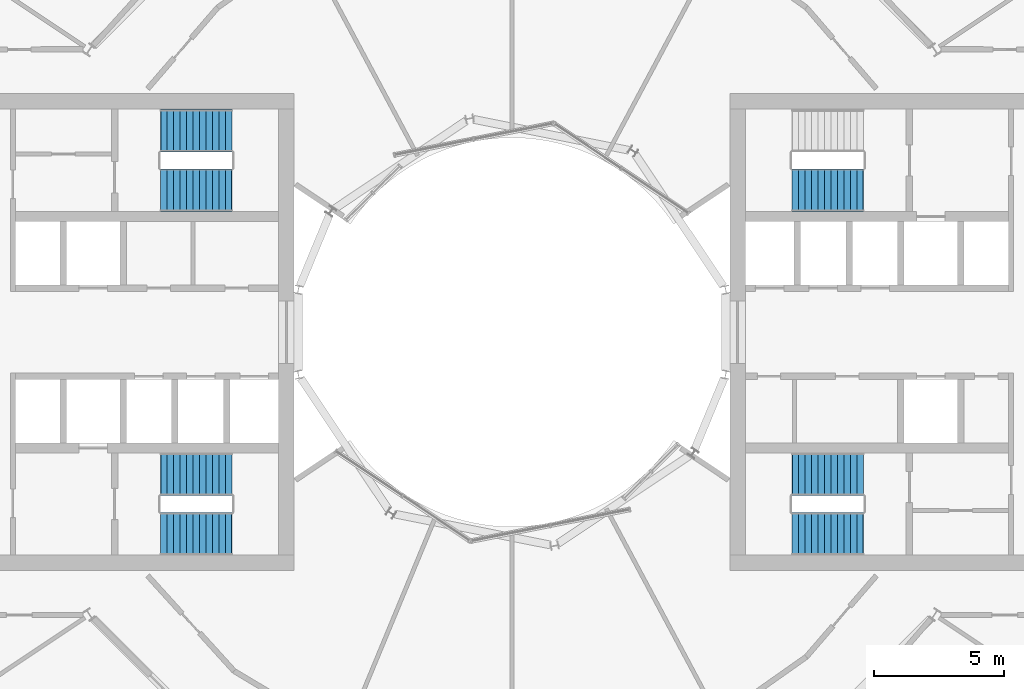
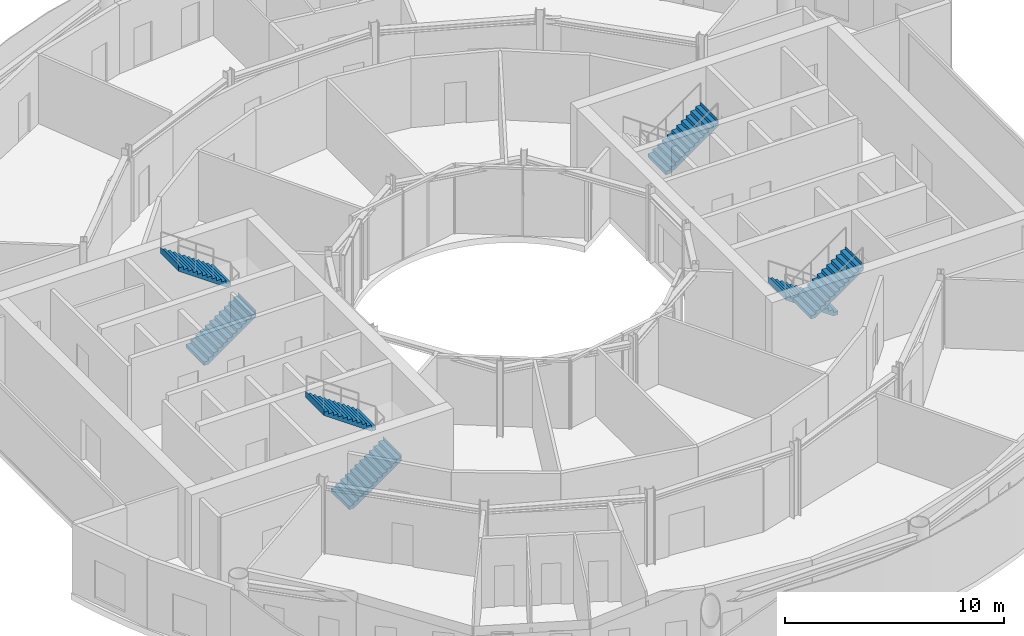
# One storey, part 19 of 21: 7 stair flights, 4 elements without a shape of their own.
"""IFC4 building model written with IfcOpenShell, lengths in metres."""

from ifc_helpers import new_model, si_unit, direction, frame, origin, place, context, subcontext, project, spatial, triangles, material, type_object, element, aggregate, save


model = new_model("IFC4")

# Units and contexts
model_context = context("Model", 3, precision=1e-05, world=origin(), true_north=direction((0.0, 1.0)))
body_context = subcontext(model_context, "Body", "Model", "MODEL_VIEW")
ifc_project = project(units=[si_unit("LENGTHUNIT", "METRE"), si_unit("AREAUNIT", "SQUARE_METRE"), si_unit("VOLUMEUNIT", "CUBIC_METRE"), si_unit("PLANEANGLEUNIT", "RADIAN"), si_unit("MASSUNIT", "GRAM", prefix="KILO")], contexts=[model_context])

# Site, building, storey
site_placement = place(None, origin())
site = spatial("IfcSite", under=ifc_project, at=site_placement, CompositionType="ELEMENT")
building_placement = place(site_placement, origin())
building = spatial("IfcBuilding", under=site, at=building_placement, Name="Maasbend Ring Residences", CompositionType="ELEMENT")
storey_placement = place(building_placement, frame((0.0, 0.0, 107.449951171875)))
storey = spatial("IfcBuildingStorey", under=building, at=storey_placement, Name="L30", CompositionType="ELEMENT", Elevation=107.449951171875)

# Stair, stair flight
ifc_material_1 = material(Name="Concrete C40/50", Category="concrete")
stair_type = type_object("IfcStairType", Name="CORE STAIR 24 RISERS", PredefinedType="HALF_TURN_STAIR", material=ifc_material_1)
stair_1_placement = place(storey_placement, origin())
stair_1 = element("IfcStair", 1, at=stair_1_placement, inside=storey, type_object=stair_type, Name="L30 Exit stair ST-E1", PredefinedType="HALF_TURN_STAIR")
ifc_material_2 = material(Name="Concrete C40/50", Category="concrete")
stair_flight_type = type_object("IfcStairFlightType", Name="CORE STAIR FLIGHT 1650", PredefinedType="STRAIGHT", material=ifc_material_2)
stair_flight_1_placement = place(storey_placement, frame((10.800048828125, 5.47509765625, 2.10009765625), z_axis=(0.0, 0.0, 1.0), x_axis=(1.0, 0.0, 0.0)))
stair_flight_1 = element("IfcStairFlight", 2, at=stair_flight_1_placement, type_object=stair_flight_type, Name="ST-E1 flight 2", NumberOfRisers=12, NumberOfTreads=11, PredefinedType="STRAIGHT", RiserHeight=0.175, TreadLength=0.25, context=body_context, shape_type="Tessellation", body=[
    triangles([(0.23583984375, 0.824951171875, -0.02001953125), (2.7529296875, 0.824951171875, 1.741943359375), (2.7529296875, 0.824951171875, 2.10009765625), (2.739990234375, 0.824951171875, 1.925048828125), (2.5, 0.824951171875, 1.925048828125), (2.5, 0.824951171875, 1.75), (2.25, 0.824951171875, 1.75), (2.25, 0.824951171875, 1.574951171875), (2.0, 0.824951171875, 1.574951171875), (2.0, 0.824951171875, 1.39990234375), (1.75, 0.824951171875, 1.39990234375), (1.75, 0.824951171875, 1.22509765625), (1.5, 0.824951171875, 1.22509765625), (1.5, 0.824951171875, 1.050048828125), (1.25, 0.824951171875, 1.050048828125), (1.25, 0.824951171875, 0.875), (1.0, 0.824951171875, 0.875), (1.0, 0.824951171875, 0.699951171875), (0.75, 0.824951171875, 0.699951171875), (0.75, 0.824951171875, 0.52490234375), (0.5, 0.824951171875, 0.52490234375), (0.5, 0.824951171875, 0.35009765625), (0.25, 0.824951171875, 0.35009765625), (0.25, 0.824951171875, 0.175048828125), (0.0, 0.824951171875, 0.175048828125), (0.0, 0.824951171875, 0.0), (-0.0029296875, 0.824951171875, 0.0), (-0.0029296875, 0.824951171875, -0.02001953125), (0.23583984375, -0.824951171875, -0.02001953125), (2.7529296875, -0.824951171875, 1.741943359375), (2.7529296875, -0.824951171875, 2.10009765625), (2.739990234375, -0.824951171875, 1.925048828125), (2.5, -0.824951171875, 1.925048828125), (2.5, -0.824951171875, 1.75), (2.25, -0.824951171875, 1.75), (2.25, -0.824951171875, 1.574951171875), (2.0, -0.824951171875, 1.574951171875), (2.0, -0.824951171875, 1.39990234375), (1.75, -0.824951171875, 1.39990234375), (1.75, -0.824951171875, 1.22509765625), (1.5, -0.824951171875, 1.22509765625), (1.5, -0.824951171875, 1.050048828125), (1.25, -0.824951171875, 1.050048828125), (1.25, -0.824951171875, 0.875), (1.0, -0.824951171875, 0.875), (1.0, -0.824951171875, 0.699951171875), (0.75, -0.824951171875, 0.699951171875), (0.75, -0.824951171875, 0.52490234375), (0.5, -0.824951171875, 0.52490234375), (0.5, -0.824951171875, 0.35009765625), (0.25, -0.824951171875, 0.35009765625), (0.25, -0.824951171875, 0.175048828125), (0.0, -0.824951171875, 0.175048828125), (0.0, -0.824951171875, 0.0), (-0.0029296875, -0.824951171875, 0.0), (-0.0029296875, -0.824951171875, -0.02001953125)], [[1, 2, 30], [1, 30, 29], [2, 3, 31], [2, 31, 30], [3, 4, 32], [3, 32, 31], [4, 5, 33], [4, 33, 32], [5, 6, 34], [5, 34, 33], [6, 7, 35], [6, 35, 34], [7, 8, 36], [7, 36, 35], [8, 9, 37], [8, 37, 36], [9, 10, 38], [9, 38, 37], [10, 11, 39], [10, 39, 38], [11, 12, 40], [11, 40, 39], [12, 13, 41], [12, 41, 40], [13, 14, 42], [13, 42, 41], [14, 15, 43], [14, 43, 42], [15, 16, 44], [15, 44, 43], [16, 17, 45], [16, 45, 44], [17, 18, 46], [17, 46, 45], [18, 19, 47], [18, 47, 46], [19, 20, 48], [19, 48, 47], [20, 21, 49], [20, 49, 48], [21, 22, 50], [21, 50, 49], [22, 23, 51], [22, 51, 50], [23, 24, 52], [23, 52, 51], [24, 25, 53], [24, 53, 52], [25, 26, 54], [25, 54, 53], [26, 27, 55], [26, 55, 54], [27, 28, 56], [27, 56, 55], [28, 1, 29], [28, 29, 56], [28, 2, 1], [2, 4, 3], [2, 5, 4], [2, 6, 5], [28, 6, 2], [6, 8, 7], [28, 8, 6], [8, 10, 9], [28, 10, 8], [10, 12, 11], [28, 12, 10], [12, 14, 13], [28, 14, 12], [14, 16, 15], [28, 16, 14], [16, 18, 17], [28, 18, 16], [18, 20, 19], [28, 20, 18], [20, 22, 21], [28, 22, 20], [22, 24, 23], [28, 24, 22], [24, 26, 25], [28, 26, 24], [26, 28, 27], [56, 29, 30], [30, 31, 32], [30, 32, 33], [30, 33, 34], [56, 30, 34], [34, 35, 36], [56, 34, 36], [36, 37, 38], [56, 36, 38], [38, 39, 40], [56, 38, 40], [40, 41, 42], [56, 40, 42], [42, 43, 44], [56, 42, 44], [44, 45, 46], [56, 44, 46], [46, 47, 48], [56, 46, 48], [48, 49, 50], [56, 48, 50], [50, 51, 52], [56, 50, 52], [52, 53, 54], [56, 52, 54], [54, 55, 56]], closed=True),
])
aggregate(stair_1, [stair_flight_1])

# Stair, stair flights
stair_2_placement = place(storey_placement, origin())
stair_2 = element("IfcStair", 3, at=stair_2_placement, inside=storey, type_object=stair_type, Name="L30 Exit stair ST-E2", PredefinedType="HALF_TURN_STAIR")
stair_flight_2_placement = place(storey_placement, frame((13.550048828125, -5.47509765625, 0.0), z_axis=(0.0, 0.0, 1.0), x_axis=(-1.0, 0.0, 0.0)))
stair_flight_2 = element("IfcStairFlight", 4, at=stair_flight_2_placement, type_object=stair_flight_type, Name="ST-E2 flight 1", NumberOfRisers=12, NumberOfTreads=11, PredefinedType="STRAIGHT", RiserHeight=0.175, TreadLength=0.25, context=body_context, shape_type="Tessellation", body=[
    triangles([(0.23583984375, 0.824951171875, -0.02001953125), (2.7529296875, 0.824951171875, 1.741943359375), (2.7529296875, 0.824951171875, 2.10009765625), (2.739990234375, 0.824951171875, 1.925048828125), (2.5, 0.824951171875, 1.925048828125), (2.5, 0.824951171875, 1.75), (2.25, 0.824951171875, 1.75), (2.25, 0.824951171875, 1.574951171875), (2.0, 0.824951171875, 1.574951171875), (2.0, 0.824951171875, 1.39990234375), (1.75, 0.824951171875, 1.39990234375), (1.75, 0.824951171875, 1.22509765625), (1.5, 0.824951171875, 1.22509765625), (1.5, 0.824951171875, 1.050048828125), (1.25, 0.824951171875, 1.050048828125), (1.25, 0.824951171875, 0.875), (1.0, 0.824951171875, 0.875), (1.0, 0.824951171875, 0.699951171875), (0.75, 0.824951171875, 0.699951171875), (0.75, 0.824951171875, 0.52490234375), (0.5, 0.824951171875, 0.52490234375), (0.5, 0.824951171875, 0.35009765625), (0.25, 0.824951171875, 0.35009765625), (0.25, 0.824951171875, 0.175048828125), (0.0, 0.824951171875, 0.175048828125), (0.0, 0.824951171875, 0.0), (-0.0029296875, 0.824951171875, 0.0), (-0.0029296875, 0.824951171875, -0.02001953125), (0.23583984375, -0.824951171875, -0.02001953125), (2.7529296875, -0.824951171875, 1.741943359375), (2.7529296875, -0.824951171875, 2.10009765625), (2.739990234375, -0.824951171875, 1.925048828125), (2.5, -0.824951171875, 1.925048828125), (2.5, -0.824951171875, 1.75), (2.25, -0.824951171875, 1.75), (2.25, -0.824951171875, 1.574951171875), (2.0, -0.824951171875, 1.574951171875), (2.0, -0.824951171875, 1.39990234375), (1.75, -0.824951171875, 1.39990234375), (1.75, -0.824951171875, 1.22509765625), (1.5, -0.824951171875, 1.22509765625), (1.5, -0.824951171875, 1.050048828125), (1.25, -0.824951171875, 1.050048828125), (1.25, -0.824951171875, 0.875), (1.0, -0.824951171875, 0.875), (1.0, -0.824951171875, 0.699951171875), (0.75, -0.824951171875, 0.699951171875), (0.75, -0.824951171875, 0.52490234375), (0.5, -0.824951171875, 0.52490234375), (0.5, -0.824951171875, 0.35009765625), (0.25, -0.824951171875, 0.35009765625), (0.25, -0.824951171875, 0.175048828125), (0.0, -0.824951171875, 0.175048828125), (0.0, -0.824951171875, 0.0), (-0.0029296875, -0.824951171875, 0.0), (-0.0029296875, -0.824951171875, -0.02001953125)], [[1, 2, 30], [1, 30, 29], [2, 3, 31], [2, 31, 30], [3, 4, 32], [3, 32, 31], [4, 5, 33], [4, 33, 32], [5, 6, 34], [5, 34, 33], [6, 7, 35], [6, 35, 34], [7, 8, 36], [7, 36, 35], [8, 9, 37], [8, 37, 36], [9, 10, 38], [9, 38, 37], [10, 11, 39], [10, 39, 38], [11, 12, 40], [11, 40, 39], [12, 13, 41], [12, 41, 40], [13, 14, 42], [13, 42, 41], [14, 15, 43], [14, 43, 42], [15, 16, 44], [15, 44, 43], [16, 17, 45], [16, 45, 44], [17, 18, 46], [17, 46, 45], [18, 19, 47], [18, 47, 46], [19, 20, 48], [19, 48, 47], [20, 21, 49], [20, 49, 48], [21, 22, 50], [21, 50, 49], [22, 23, 51], [22, 51, 50], [23, 24, 52], [23, 52, 51], [24, 25, 53], [24, 53, 52], [25, 26, 54], [25, 54, 53], [26, 27, 55], [26, 55, 54], [27, 28, 56], [27, 56, 55], [28, 1, 29], [28, 29, 56], [28, 2, 1], [2, 4, 3], [2, 5, 4], [2, 6, 5], [28, 6, 2], [6, 8, 7], [28, 8, 6], [8, 10, 9], [28, 10, 8], [10, 12, 11], [28, 12, 10], [12, 14, 13], [28, 14, 12], [14, 16, 15], [28, 16, 14], [16, 18, 17], [28, 18, 16], [18, 20, 19], [28, 20, 18], [20, 22, 21], [28, 22, 20], [22, 24, 23], [28, 24, 22], [24, 26, 25], [28, 26, 24], [26, 28, 27], [56, 29, 30], [30, 31, 32], [30, 32, 33], [30, 33, 34], [56, 30, 34], [34, 35, 36], [56, 34, 36], [36, 37, 38], [56, 36, 38], [38, 39, 40], [56, 38, 40], [40, 41, 42], [56, 40, 42], [42, 43, 44], [56, 42, 44], [44, 45, 46], [56, 44, 46], [46, 47, 48], [56, 46, 48], [48, 49, 50], [56, 48, 50], [50, 51, 52], [56, 50, 52], [52, 53, 54], [56, 52, 54], [54, 55, 56]], closed=True),
])
stair_flight_3_placement = place(storey_placement, frame((10.800048828125, -7.77490234375, 2.10009765625), z_axis=(0.0, 0.0, 1.0), x_axis=(1.0, 0.0, 0.0)))
stair_flight_3 = element("IfcStairFlight", 5, at=stair_flight_3_placement, type_object=stair_flight_type, Name="ST-E2 flight 2", NumberOfRisers=12, NumberOfTreads=11, PredefinedType="STRAIGHT", RiserHeight=0.175, TreadLength=0.25, context=body_context, shape_type="Tessellation", body=[
    triangles([(0.23583984375, 0.824951171875, -0.02001953125), (2.7529296875, 0.824951171875, 1.741943359375), (2.7529296875, 0.824951171875, 2.10009765625), (2.739990234375, 0.824951171875, 1.925048828125), (2.5, 0.824951171875, 1.925048828125), (2.5, 0.824951171875, 1.75), (2.25, 0.824951171875, 1.75), (2.25, 0.824951171875, 1.574951171875), (2.0, 0.824951171875, 1.574951171875), (2.0, 0.824951171875, 1.39990234375), (1.75, 0.824951171875, 1.39990234375), (1.75, 0.824951171875, 1.22509765625), (1.5, 0.824951171875, 1.22509765625), (1.5, 0.824951171875, 1.050048828125), (1.25, 0.824951171875, 1.050048828125), (1.25, 0.824951171875, 0.875), (1.0, 0.824951171875, 0.875), (1.0, 0.824951171875, 0.699951171875), (0.75, 0.824951171875, 0.699951171875), (0.75, 0.824951171875, 0.52490234375), (0.5, 0.824951171875, 0.52490234375), (0.5, 0.824951171875, 0.35009765625), (0.25, 0.824951171875, 0.35009765625), (0.25, 0.824951171875, 0.175048828125), (0.0, 0.824951171875, 0.175048828125), (0.0, 0.824951171875, 0.0), (-0.0029296875, 0.824951171875, 0.0), (-0.0029296875, 0.824951171875, -0.02001953125), (0.23583984375, -0.824951171875, -0.02001953125), (2.7529296875, -0.824951171875, 1.741943359375), (2.7529296875, -0.824951171875, 2.10009765625), (2.739990234375, -0.824951171875, 1.925048828125), (2.5, -0.824951171875, 1.925048828125), (2.5, -0.824951171875, 1.75), (2.25, -0.824951171875, 1.75), (2.25, -0.824951171875, 1.574951171875), (2.0, -0.824951171875, 1.574951171875), (2.0, -0.824951171875, 1.39990234375), (1.75, -0.824951171875, 1.39990234375), (1.75, -0.824951171875, 1.22509765625), (1.5, -0.824951171875, 1.22509765625), (1.5, -0.824951171875, 1.050048828125), (1.25, -0.824951171875, 1.050048828125), (1.25, -0.824951171875, 0.875), (1.0, -0.824951171875, 0.875), (1.0, -0.824951171875, 0.699951171875), (0.75, -0.824951171875, 0.699951171875), (0.75, -0.824951171875, 0.52490234375), (0.5, -0.824951171875, 0.52490234375), (0.5, -0.824951171875, 0.35009765625), (0.25, -0.824951171875, 0.35009765625), (0.25, -0.824951171875, 0.175048828125), (0.0, -0.824951171875, 0.175048828125), (0.0, -0.824951171875, 0.0), (-0.0029296875, -0.824951171875, 0.0), (-0.0029296875, -0.824951171875, -0.02001953125)], [[1, 2, 30], [1, 30, 29], [2, 3, 31], [2, 31, 30], [3, 4, 32], [3, 32, 31], [4, 5, 33], [4, 33, 32], [5, 6, 34], [5, 34, 33], [6, 7, 35], [6, 35, 34], [7, 8, 36], [7, 36, 35], [8, 9, 37], [8, 37, 36], [9, 10, 38], [9, 38, 37], [10, 11, 39], [10, 39, 38], [11, 12, 40], [11, 40, 39], [12, 13, 41], [12, 41, 40], [13, 14, 42], [13, 42, 41], [14, 15, 43], [14, 43, 42], [15, 16, 44], [15, 44, 43], [16, 17, 45], [16, 45, 44], [17, 18, 46], [17, 46, 45], [18, 19, 47], [18, 47, 46], [19, 20, 48], [19, 48, 47], [20, 21, 49], [20, 49, 48], [21, 22, 50], [21, 50, 49], [22, 23, 51], [22, 51, 50], [23, 24, 52], [23, 52, 51], [24, 25, 53], [24, 53, 52], [25, 26, 54], [25, 54, 53], [26, 27, 55], [26, 55, 54], [27, 28, 56], [27, 56, 55], [28, 1, 29], [28, 29, 56], [28, 2, 1], [2, 4, 3], [2, 5, 4], [2, 6, 5], [28, 6, 2], [6, 8, 7], [28, 8, 6], [8, 10, 9], [28, 10, 8], [10, 12, 11], [28, 12, 10], [12, 14, 13], [28, 14, 12], [14, 16, 15], [28, 16, 14], [16, 18, 17], [28, 18, 16], [18, 20, 19], [28, 20, 18], [20, 22, 21], [28, 22, 20], [22, 24, 23], [28, 24, 22], [24, 26, 25], [28, 26, 24], [26, 28, 27], [56, 29, 30], [30, 31, 32], [30, 32, 33], [30, 33, 34], [56, 30, 34], [34, 35, 36], [56, 34, 36], [36, 37, 38], [56, 36, 38], [38, 39, 40], [56, 38, 40], [40, 41, 42], [56, 40, 42], [42, 43, 44], [56, 42, 44], [44, 45, 46], [56, 44, 46], [46, 47, 48], [56, 46, 48], [48, 49, 50], [56, 48, 50], [50, 51, 52], [56, 50, 52], [52, 53, 54], [56, 52, 54], [54, 55, 56]], closed=True),
])
aggregate(stair_2, [stair_flight_2, stair_flight_3])

stair_3_placement = place(storey_placement, origin())
stair_3 = element("IfcStair", 6, at=stair_3_placement, inside=storey, type_object=stair_type, Name="L30 Exit stair ST-W1", PredefinedType="HALF_TURN_STAIR")
stair_flight_4_placement = place(storey_placement, frame((-13.550048828125, -7.77490234375, 0.0), z_axis=(0.0, 0.0, 1.0), x_axis=(1.0, 0.0, 0.0)))
stair_flight_4 = element("IfcStairFlight", 7, at=stair_flight_4_placement, type_object=stair_flight_type, Name="ST-W1 flight 1", NumberOfRisers=12, NumberOfTreads=11, PredefinedType="STRAIGHT", RiserHeight=0.175, TreadLength=0.25, context=body_context, shape_type="Tessellation", body=[
    triangles([(0.23583984375, 0.824951171875, -0.02001953125), (2.7529296875, 0.824951171875, 1.741943359375), (2.7529296875, 0.824951171875, 2.10009765625), (2.739990234375, 0.824951171875, 1.925048828125), (2.5, 0.824951171875, 1.925048828125), (2.5, 0.824951171875, 1.75), (2.25, 0.824951171875, 1.75), (2.25, 0.824951171875, 1.574951171875), (2.0, 0.824951171875, 1.574951171875), (2.0, 0.824951171875, 1.39990234375), (1.75, 0.824951171875, 1.39990234375), (1.75, 0.824951171875, 1.22509765625), (1.5, 0.824951171875, 1.22509765625), (1.5, 0.824951171875, 1.050048828125), (1.25, 0.824951171875, 1.050048828125), (1.25, 0.824951171875, 0.875), (1.0, 0.824951171875, 0.875), (1.0, 0.824951171875, 0.699951171875), (0.75, 0.824951171875, 0.699951171875), (0.75, 0.824951171875, 0.52490234375), (0.5, 0.824951171875, 0.52490234375), (0.5, 0.824951171875, 0.35009765625), (0.25, 0.824951171875, 0.35009765625), (0.25, 0.824951171875, 0.175048828125), (0.0, 0.824951171875, 0.175048828125), (0.0, 0.824951171875, 0.0), (-0.0029296875, 0.824951171875, 0.0), (-0.0029296875, 0.824951171875, -0.02001953125), (0.23583984375, -0.824951171875, -0.02001953125), (2.7529296875, -0.824951171875, 1.741943359375), (2.7529296875, -0.824951171875, 2.10009765625), (2.739990234375, -0.824951171875, 1.925048828125), (2.5, -0.824951171875, 1.925048828125), (2.5, -0.824951171875, 1.75), (2.25, -0.824951171875, 1.75), (2.25, -0.824951171875, 1.574951171875), (2.0, -0.824951171875, 1.574951171875), (2.0, -0.824951171875, 1.39990234375), (1.75, -0.824951171875, 1.39990234375), (1.75, -0.824951171875, 1.22509765625), (1.5, -0.824951171875, 1.22509765625), (1.5, -0.824951171875, 1.050048828125), (1.25, -0.824951171875, 1.050048828125), (1.25, -0.824951171875, 0.875), (1.0, -0.824951171875, 0.875), (1.0, -0.824951171875, 0.699951171875), (0.75, -0.824951171875, 0.699951171875), (0.75, -0.824951171875, 0.52490234375), (0.5, -0.824951171875, 0.52490234375), (0.5, -0.824951171875, 0.35009765625), (0.25, -0.824951171875, 0.35009765625), (0.25, -0.824951171875, 0.175048828125), (0.0, -0.824951171875, 0.175048828125), (0.0, -0.824951171875, 0.0), (-0.0029296875, -0.824951171875, 0.0), (-0.0029296875, -0.824951171875, -0.02001953125)], [[1, 2, 30], [1, 30, 29], [2, 3, 31], [2, 31, 30], [3, 4, 32], [3, 32, 31], [4, 5, 33], [4, 33, 32], [5, 6, 34], [5, 34, 33], [6, 7, 35], [6, 35, 34], [7, 8, 36], [7, 36, 35], [8, 9, 37], [8, 37, 36], [9, 10, 38], [9, 38, 37], [10, 11, 39], [10, 39, 38], [11, 12, 40], [11, 40, 39], [12, 13, 41], [12, 41, 40], [13, 14, 42], [13, 42, 41], [14, 15, 43], [14, 43, 42], [15, 16, 44], [15, 44, 43], [16, 17, 45], [16, 45, 44], [17, 18, 46], [17, 46, 45], [18, 19, 47], [18, 47, 46], [19, 20, 48], [19, 48, 47], [20, 21, 49], [20, 49, 48], [21, 22, 50], [21, 50, 49], [22, 23, 51], [22, 51, 50], [23, 24, 52], [23, 52, 51], [24, 25, 53], [24, 53, 52], [25, 26, 54], [25, 54, 53], [26, 27, 55], [26, 55, 54], [27, 28, 56], [27, 56, 55], [28, 1, 29], [28, 29, 56], [28, 2, 1], [2, 4, 3], [2, 5, 4], [2, 6, 5], [28, 6, 2], [6, 8, 7], [28, 8, 6], [8, 10, 9], [28, 10, 8], [10, 12, 11], [28, 12, 10], [12, 14, 13], [28, 14, 12], [14, 16, 15], [28, 16, 14], [16, 18, 17], [28, 18, 16], [18, 20, 19], [28, 20, 18], [20, 22, 21], [28, 22, 20], [22, 24, 23], [28, 24, 22], [24, 26, 25], [28, 26, 24], [26, 28, 27], [56, 29, 30], [30, 31, 32], [30, 32, 33], [30, 33, 34], [56, 30, 34], [34, 35, 36], [56, 34, 36], [36, 37, 38], [56, 36, 38], [38, 39, 40], [56, 38, 40], [40, 41, 42], [56, 40, 42], [42, 43, 44], [56, 42, 44], [44, 45, 46], [56, 44, 46], [46, 47, 48], [56, 46, 48], [48, 49, 50], [56, 48, 50], [50, 51, 52], [56, 50, 52], [52, 53, 54], [56, 52, 54], [54, 55, 56]], closed=True),
])
stair_flight_5_placement = place(storey_placement, frame((-10.800048828125, -5.47509765625, 2.10009765625), z_axis=(0.0, 0.0, 1.0), x_axis=(-1.0, 0.0, 0.0)))
stair_flight_5 = element("IfcStairFlight", 8, at=stair_flight_5_placement, type_object=stair_flight_type, Name="ST-W1 flight 2", NumberOfRisers=12, NumberOfTreads=11, PredefinedType="STRAIGHT", RiserHeight=0.175, TreadLength=0.25, context=body_context, shape_type="Tessellation", body=[
    triangles([(0.23583984375, 0.824951171875, -0.02001953125), (2.7529296875, 0.824951171875, 1.741943359375), (2.7529296875, 0.824951171875, 2.10009765625), (2.739990234375, 0.824951171875, 1.925048828125), (2.5, 0.824951171875, 1.925048828125), (2.5, 0.824951171875, 1.75), (2.25, 0.824951171875, 1.75), (2.25, 0.824951171875, 1.574951171875), (2.0, 0.824951171875, 1.574951171875), (2.0, 0.824951171875, 1.39990234375), (1.75, 0.824951171875, 1.39990234375), (1.75, 0.824951171875, 1.22509765625), (1.5, 0.824951171875, 1.22509765625), (1.5, 0.824951171875, 1.050048828125), (1.25, 0.824951171875, 1.050048828125), (1.25, 0.824951171875, 0.875), (1.0, 0.824951171875, 0.875), (1.0, 0.824951171875, 0.699951171875), (0.75, 0.824951171875, 0.699951171875), (0.75, 0.824951171875, 0.52490234375), (0.5, 0.824951171875, 0.52490234375), (0.5, 0.824951171875, 0.35009765625), (0.25, 0.824951171875, 0.35009765625), (0.25, 0.824951171875, 0.175048828125), (0.0, 0.824951171875, 0.175048828125), (0.0, 0.824951171875, 0.0), (-0.0029296875, 0.824951171875, 0.0), (-0.0029296875, 0.824951171875, -0.02001953125), (0.23583984375, -0.824951171875, -0.02001953125), (2.7529296875, -0.824951171875, 1.741943359375), (2.7529296875, -0.824951171875, 2.10009765625), (2.739990234375, -0.824951171875, 1.925048828125), (2.5, -0.824951171875, 1.925048828125), (2.5, -0.824951171875, 1.75), (2.25, -0.824951171875, 1.75), (2.25, -0.824951171875, 1.574951171875), (2.0, -0.824951171875, 1.574951171875), (2.0, -0.824951171875, 1.39990234375), (1.75, -0.824951171875, 1.39990234375), (1.75, -0.824951171875, 1.22509765625), (1.5, -0.824951171875, 1.22509765625), (1.5, -0.824951171875, 1.050048828125), (1.25, -0.824951171875, 1.050048828125), (1.25, -0.824951171875, 0.875), (1.0, -0.824951171875, 0.875), (1.0, -0.824951171875, 0.699951171875), (0.75, -0.824951171875, 0.699951171875), (0.75, -0.824951171875, 0.52490234375), (0.5, -0.824951171875, 0.52490234375), (0.5, -0.824951171875, 0.35009765625), (0.25, -0.824951171875, 0.35009765625), (0.25, -0.824951171875, 0.175048828125), (0.0, -0.824951171875, 0.175048828125), (0.0, -0.824951171875, 0.0), (-0.0029296875, -0.824951171875, 0.0), (-0.0029296875, -0.824951171875, -0.02001953125)], [[1, 2, 30], [1, 30, 29], [2, 3, 31], [2, 31, 30], [3, 4, 32], [3, 32, 31], [4, 5, 33], [4, 33, 32], [5, 6, 34], [5, 34, 33], [6, 7, 35], [6, 35, 34], [7, 8, 36], [7, 36, 35], [8, 9, 37], [8, 37, 36], [9, 10, 38], [9, 38, 37], [10, 11, 39], [10, 39, 38], [11, 12, 40], [11, 40, 39], [12, 13, 41], [12, 41, 40], [13, 14, 42], [13, 42, 41], [14, 15, 43], [14, 43, 42], [15, 16, 44], [15, 44, 43], [16, 17, 45], [16, 45, 44], [17, 18, 46], [17, 46, 45], [18, 19, 47], [18, 47, 46], [19, 20, 48], [19, 48, 47], [20, 21, 49], [20, 49, 48], [21, 22, 50], [21, 50, 49], [22, 23, 51], [22, 51, 50], [23, 24, 52], [23, 52, 51], [24, 25, 53], [24, 53, 52], [25, 26, 54], [25, 54, 53], [26, 27, 55], [26, 55, 54], [27, 28, 56], [27, 56, 55], [28, 1, 29], [28, 29, 56], [28, 2, 1], [2, 4, 3], [2, 5, 4], [2, 6, 5], [28, 6, 2], [6, 8, 7], [28, 8, 6], [8, 10, 9], [28, 10, 8], [10, 12, 11], [28, 12, 10], [12, 14, 13], [28, 14, 12], [14, 16, 15], [28, 16, 14], [16, 18, 17], [28, 18, 16], [18, 20, 19], [28, 20, 18], [20, 22, 21], [28, 22, 20], [22, 24, 23], [28, 24, 22], [24, 26, 25], [28, 26, 24], [26, 28, 27], [56, 29, 30], [30, 31, 32], [30, 32, 33], [30, 33, 34], [56, 30, 34], [34, 35, 36], [56, 34, 36], [36, 37, 38], [56, 36, 38], [38, 39, 40], [56, 38, 40], [40, 41, 42], [56, 40, 42], [42, 43, 44], [56, 42, 44], [44, 45, 46], [56, 44, 46], [46, 47, 48], [56, 46, 48], [48, 49, 50], [56, 48, 50], [50, 51, 52], [56, 50, 52], [52, 53, 54], [56, 52, 54], [54, 55, 56]], closed=True),
])
aggregate(stair_3, [stair_flight_4, stair_flight_5])

stair_4_placement = place(storey_placement, origin())
stair_4 = element("IfcStair", 9, at=stair_4_placement, inside=storey, type_object=stair_type, Name="L30 Exit stair ST-W2", PredefinedType="HALF_TURN_STAIR")
stair_flight_6_placement = place(storey_placement, frame((-13.550048828125, 5.47509765625, 0.0), z_axis=(0.0, 0.0, 1.0), x_axis=(1.0, 0.0, 0.0)))
stair_flight_6 = element("IfcStairFlight", 10, at=stair_flight_6_placement, type_object=stair_flight_type, Name="ST-W2 flight 1", NumberOfRisers=12, NumberOfTreads=11, PredefinedType="STRAIGHT", RiserHeight=0.175, TreadLength=0.25, context=body_context, shape_type="Tessellation", body=[
    triangles([(0.23583984375, 0.824951171875, -0.02001953125), (2.7529296875, 0.824951171875, 1.741943359375), (2.7529296875, 0.824951171875, 2.10009765625), (2.739990234375, 0.824951171875, 1.925048828125), (2.5, 0.824951171875, 1.925048828125), (2.5, 0.824951171875, 1.75), (2.25, 0.824951171875, 1.75), (2.25, 0.824951171875, 1.574951171875), (2.0, 0.824951171875, 1.574951171875), (2.0, 0.824951171875, 1.39990234375), (1.75, 0.824951171875, 1.39990234375), (1.75, 0.824951171875, 1.22509765625), (1.5, 0.824951171875, 1.22509765625), (1.5, 0.824951171875, 1.050048828125), (1.25, 0.824951171875, 1.050048828125), (1.25, 0.824951171875, 0.875), (1.0, 0.824951171875, 0.875), (1.0, 0.824951171875, 0.699951171875), (0.75, 0.824951171875, 0.699951171875), (0.75, 0.824951171875, 0.52490234375), (0.5, 0.824951171875, 0.52490234375), (0.5, 0.824951171875, 0.35009765625), (0.25, 0.824951171875, 0.35009765625), (0.25, 0.824951171875, 0.175048828125), (0.0, 0.824951171875, 0.175048828125), (0.0, 0.824951171875, 0.0), (-0.0029296875, 0.824951171875, 0.0), (-0.0029296875, 0.824951171875, -0.02001953125), (0.23583984375, -0.824951171875, -0.02001953125), (2.7529296875, -0.824951171875, 1.741943359375), (2.7529296875, -0.824951171875, 2.10009765625), (2.739990234375, -0.824951171875, 1.925048828125), (2.5, -0.824951171875, 1.925048828125), (2.5, -0.824951171875, 1.75), (2.25, -0.824951171875, 1.75), (2.25, -0.824951171875, 1.574951171875), (2.0, -0.824951171875, 1.574951171875), (2.0, -0.824951171875, 1.39990234375), (1.75, -0.824951171875, 1.39990234375), (1.75, -0.824951171875, 1.22509765625), (1.5, -0.824951171875, 1.22509765625), (1.5, -0.824951171875, 1.050048828125), (1.25, -0.824951171875, 1.050048828125), (1.25, -0.824951171875, 0.875), (1.0, -0.824951171875, 0.875), (1.0, -0.824951171875, 0.699951171875), (0.75, -0.824951171875, 0.699951171875), (0.75, -0.824951171875, 0.52490234375), (0.5, -0.824951171875, 0.52490234375), (0.5, -0.824951171875, 0.35009765625), (0.25, -0.824951171875, 0.35009765625), (0.25, -0.824951171875, 0.175048828125), (0.0, -0.824951171875, 0.175048828125), (0.0, -0.824951171875, 0.0), (-0.0029296875, -0.824951171875, 0.0), (-0.0029296875, -0.824951171875, -0.02001953125)], [[1, 2, 30], [1, 30, 29], [2, 3, 31], [2, 31, 30], [3, 4, 32], [3, 32, 31], [4, 5, 33], [4, 33, 32], [5, 6, 34], [5, 34, 33], [6, 7, 35], [6, 35, 34], [7, 8, 36], [7, 36, 35], [8, 9, 37], [8, 37, 36], [9, 10, 38], [9, 38, 37], [10, 11, 39], [10, 39, 38], [11, 12, 40], [11, 40, 39], [12, 13, 41], [12, 41, 40], [13, 14, 42], [13, 42, 41], [14, 15, 43], [14, 43, 42], [15, 16, 44], [15, 44, 43], [16, 17, 45], [16, 45, 44], [17, 18, 46], [17, 46, 45], [18, 19, 47], [18, 47, 46], [19, 20, 48], [19, 48, 47], [20, 21, 49], [20, 49, 48], [21, 22, 50], [21, 50, 49], [22, 23, 51], [22, 51, 50], [23, 24, 52], [23, 52, 51], [24, 25, 53], [24, 53, 52], [25, 26, 54], [25, 54, 53], [26, 27, 55], [26, 55, 54], [27, 28, 56], [27, 56, 55], [28, 1, 29], [28, 29, 56], [28, 2, 1], [2, 4, 3], [2, 5, 4], [2, 6, 5], [28, 6, 2], [6, 8, 7], [28, 8, 6], [8, 10, 9], [28, 10, 8], [10, 12, 11], [28, 12, 10], [12, 14, 13], [28, 14, 12], [14, 16, 15], [28, 16, 14], [16, 18, 17], [28, 18, 16], [18, 20, 19], [28, 20, 18], [20, 22, 21], [28, 22, 20], [22, 24, 23], [28, 24, 22], [24, 26, 25], [28, 26, 24], [26, 28, 27], [56, 29, 30], [30, 31, 32], [30, 32, 33], [30, 33, 34], [56, 30, 34], [34, 35, 36], [56, 34, 36], [36, 37, 38], [56, 36, 38], [38, 39, 40], [56, 38, 40], [40, 41, 42], [56, 40, 42], [42, 43, 44], [56, 42, 44], [44, 45, 46], [56, 44, 46], [46, 47, 48], [56, 46, 48], [48, 49, 50], [56, 48, 50], [50, 51, 52], [56, 50, 52], [52, 53, 54], [56, 52, 54], [54, 55, 56]], closed=True),
])
stair_flight_7_placement = place(storey_placement, frame((-10.800048828125, 7.77490234375, 2.10009765625), z_axis=(0.0, 0.0, 1.0), x_axis=(-1.0, 0.0, 0.0)))
stair_flight_7 = element("IfcStairFlight", 11, at=stair_flight_7_placement, type_object=stair_flight_type, Name="ST-W2 flight 2", NumberOfRisers=12, NumberOfTreads=11, PredefinedType="STRAIGHT", RiserHeight=0.175, TreadLength=0.25, context=body_context, shape_type="Tessellation", body=[
    triangles([(0.23583984375, 0.824951171875, -0.02001953125), (2.7529296875, 0.824951171875, 1.741943359375), (2.7529296875, 0.824951171875, 2.10009765625), (2.739990234375, 0.824951171875, 1.925048828125), (2.5, 0.824951171875, 1.925048828125), (2.5, 0.824951171875, 1.75), (2.25, 0.824951171875, 1.75), (2.25, 0.824951171875, 1.574951171875), (2.0, 0.824951171875, 1.574951171875), (2.0, 0.824951171875, 1.39990234375), (1.75, 0.824951171875, 1.39990234375), (1.75, 0.824951171875, 1.22509765625), (1.5, 0.824951171875, 1.22509765625), (1.5, 0.824951171875, 1.050048828125), (1.25, 0.824951171875, 1.050048828125), (1.25, 0.824951171875, 0.875), (1.0, 0.824951171875, 0.875), (1.0, 0.824951171875, 0.699951171875), (0.75, 0.824951171875, 0.699951171875), (0.75, 0.824951171875, 0.52490234375), (0.5, 0.824951171875, 0.52490234375), (0.5, 0.824951171875, 0.35009765625), (0.25, 0.824951171875, 0.35009765625), (0.25, 0.824951171875, 0.175048828125), (0.0, 0.824951171875, 0.175048828125), (0.0, 0.824951171875, 0.0), (-0.0029296875, 0.824951171875, 0.0), (-0.0029296875, 0.824951171875, -0.02001953125), (0.23583984375, -0.824951171875, -0.02001953125), (2.7529296875, -0.824951171875, 1.741943359375), (2.7529296875, -0.824951171875, 2.10009765625), (2.739990234375, -0.824951171875, 1.925048828125), (2.5, -0.824951171875, 1.925048828125), (2.5, -0.824951171875, 1.75), (2.25, -0.824951171875, 1.75), (2.25, -0.824951171875, 1.574951171875), (2.0, -0.824951171875, 1.574951171875), (2.0, -0.824951171875, 1.39990234375), (1.75, -0.824951171875, 1.39990234375), (1.75, -0.824951171875, 1.22509765625), (1.5, -0.824951171875, 1.22509765625), (1.5, -0.824951171875, 1.050048828125), (1.25, -0.824951171875, 1.050048828125), (1.25, -0.824951171875, 0.875), (1.0, -0.824951171875, 0.875), (1.0, -0.824951171875, 0.699951171875), (0.75, -0.824951171875, 0.699951171875), (0.75, -0.824951171875, 0.52490234375), (0.5, -0.824951171875, 0.52490234375), (0.5, -0.824951171875, 0.35009765625), (0.25, -0.824951171875, 0.35009765625), (0.25, -0.824951171875, 0.175048828125), (0.0, -0.824951171875, 0.175048828125), (0.0, -0.824951171875, 0.0), (-0.0029296875, -0.824951171875, 0.0), (-0.0029296875, -0.824951171875, -0.02001953125)], [[1, 2, 30], [1, 30, 29], [2, 3, 31], [2, 31, 30], [3, 4, 32], [3, 32, 31], [4, 5, 33], [4, 33, 32], [5, 6, 34], [5, 34, 33], [6, 7, 35], [6, 35, 34], [7, 8, 36], [7, 36, 35], [8, 9, 37], [8, 37, 36], [9, 10, 38], [9, 38, 37], [10, 11, 39], [10, 39, 38], [11, 12, 40], [11, 40, 39], [12, 13, 41], [12, 41, 40], [13, 14, 42], [13, 42, 41], [14, 15, 43], [14, 43, 42], [15, 16, 44], [15, 44, 43], [16, 17, 45], [16, 45, 44], [17, 18, 46], [17, 46, 45], [18, 19, 47], [18, 47, 46], [19, 20, 48], [19, 48, 47], [20, 21, 49], [20, 49, 48], [21, 22, 50], [21, 50, 49], [22, 23, 51], [22, 51, 50], [23, 24, 52], [23, 52, 51], [24, 25, 53], [24, 53, 52], [25, 26, 54], [25, 54, 53], [26, 27, 55], [26, 55, 54], [27, 28, 56], [27, 56, 55], [28, 1, 29], [28, 29, 56], [28, 2, 1], [2, 4, 3], [2, 5, 4], [2, 6, 5], [28, 6, 2], [6, 8, 7], [28, 8, 6], [8, 10, 9], [28, 10, 8], [10, 12, 11], [28, 12, 10], [12, 14, 13], [28, 14, 12], [14, 16, 15], [28, 16, 14], [16, 18, 17], [28, 18, 16], [18, 20, 19], [28, 20, 18], [20, 22, 21], [28, 22, 20], [22, 24, 23], [28, 24, 22], [24, 26, 25], [28, 26, 24], [26, 28, 27], [56, 29, 30], [30, 31, 32], [30, 32, 33], [30, 33, 34], [56, 30, 34], [34, 35, 36], [56, 34, 36], [36, 37, 38], [56, 36, 38], [38, 39, 40], [56, 38, 40], [40, 41, 42], [56, 40, 42], [42, 43, 44], [56, 42, 44], [44, 45, 46], [56, 44, 46], [46, 47, 48], [56, 46, 48], [48, 49, 50], [56, 48, 50], [50, 51, 52], [56, 50, 52], [52, 53, 54], [56, 52, 54], [54, 55, 56]], closed=True),
])
aggregate(stair_4, [stair_flight_6, stair_flight_7])

save(model, "model.ifc")
